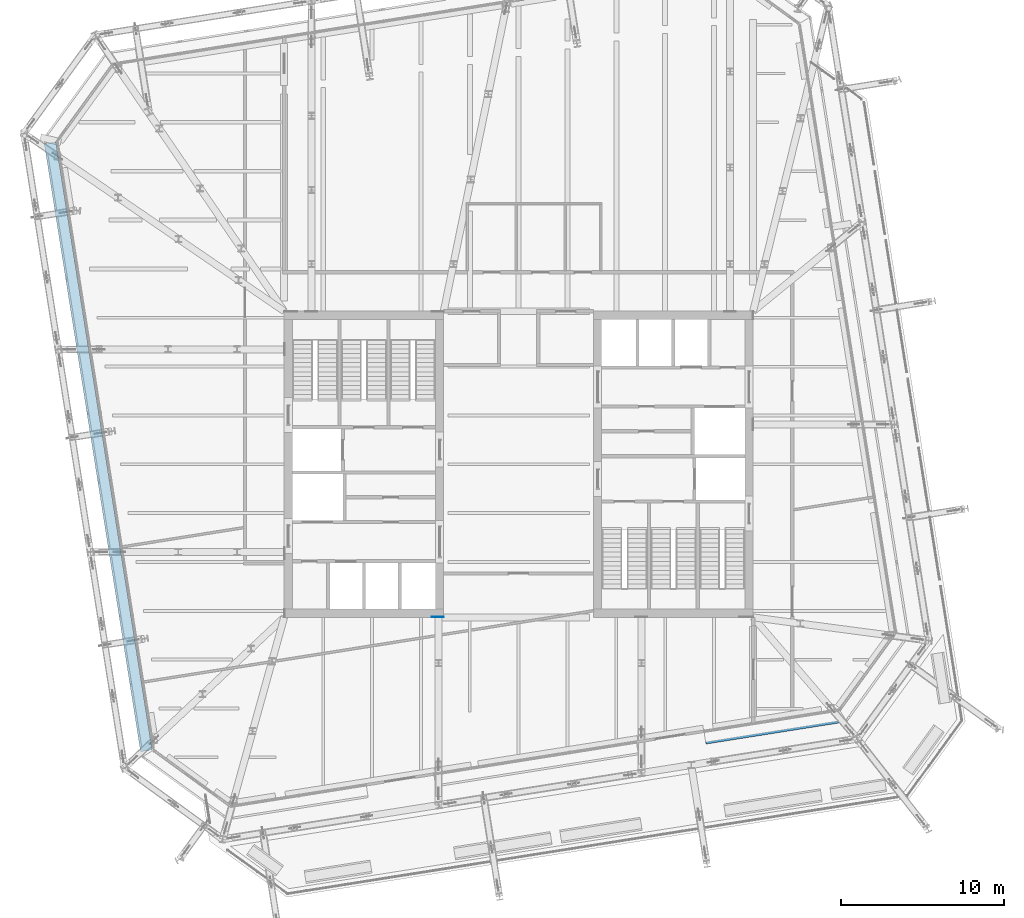
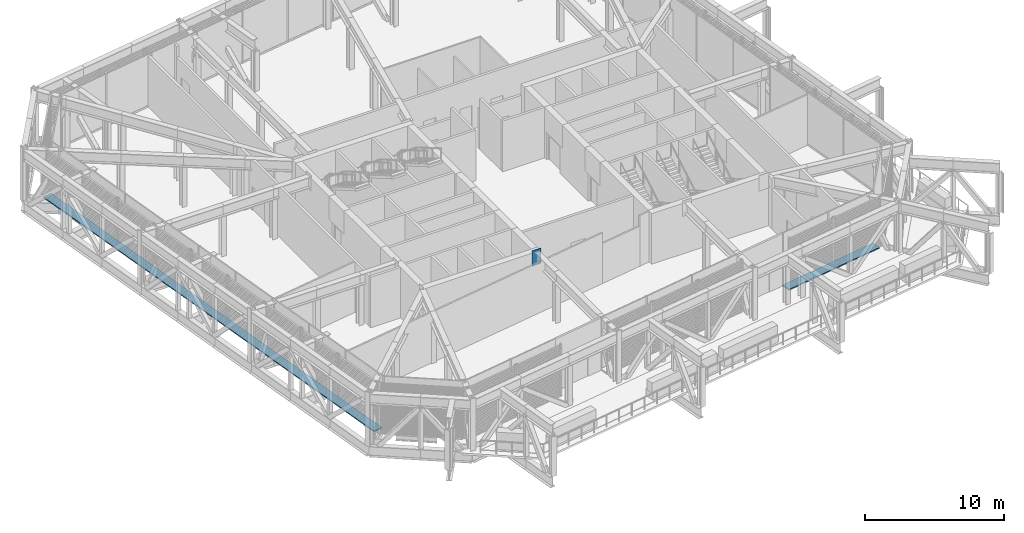
# One storey, part 25 of 35: 3 discrete accessories.
"""IFC4 building model written with IfcOpenShell, lengths in metres."""

from ifc_helpers import new_model, si_unit, direction, frame, origin, origin_2d, place, context, subcontext, project, spatial, rectangle, extrude, material, layer, layer_set, type_object, element, save


model = new_model("IFC4")

# Units and contexts
model_context = context("Model", 3, precision=1e-05, world=origin(), true_north=direction((0.0, 1.0)))
body_context = subcontext(model_context, "Body", "Model", "MODEL_VIEW")
ifc_project = project(units=[si_unit("LENGTHUNIT", "METRE"), si_unit("AREAUNIT", "SQUARE_METRE"), si_unit("VOLUMEUNIT", "CUBIC_METRE"), si_unit("PLANEANGLEUNIT", "RADIAN"), si_unit("MASSUNIT", "GRAM", prefix="KILO")], contexts=[model_context])

# Site, building, storey
site_placement = place(None, origin())
site = spatial("IfcSite", under=ifc_project, at=site_placement, CompositionType="ELEMENT")
building_placement = place(site_placement, origin())
building = spatial("IfcBuilding", under=site, at=building_placement, Name="Millrace Tower", CompositionType="ELEMENT")
storey_placement = place(building_placement, frame((0.0, 0.0, 200.10009765625)))
storey = spatial("IfcBuildingStorey", under=building, at=storey_placement, Name="L45", CompositionType="ELEMENT", Elevation=200.10009765625)

# Discrete accessories
ifc_material_1 = material(Name="Steel ASTM A572 Grade 50", Category="steel")
ifc_layer = layer(ifc_material_1, 0.034912109375)
ifc_layer_set = layer_set([ifc_layer], Name="Steel ASTM A572 Grade 50")
discrete_accessory_type_1 = type_object("IfcDiscreteAccessoryType", Name="Cast-in anchor plate 725x1350x35", PredefinedType="ANCHORPLATE", material=ifc_layer_set)
discrete_accessory_1_placement = place(storey_placement, frame((-4.96240234375, -9.364990234375, 3.96630859375), z_axis=(0.0, -1.0, 0.0), x_axis=(1.0, 0.0, 0.0)))
element("IfcDiscreteAccessory", 1, at=discrete_accessory_1_placement, inside=storey, type_object=discrete_accessory_type_1, Name="Cast-in anchor plate TRS-L45-C03-T03", PredefinedType="ANCHORPLATE", context=body_context, shape_type="SweptSolid", body=[
    extrude(rectangle(XDim=0.72509765625, YDim=1.35009765625, at=origin_2d()), origin(), (0.0, 0.0, 1.0), 0.034912109375),
])
ifc_material_2 = material(Name="Stainless steel ASTM A240 type 316", Category="steel")
discrete_accessory_type_2 = type_object("IfcDiscreteAccessoryType", Name="Thermally broken screen support rail", PredefinedType="BRACKET", material=ifc_material_2)
discrete_accessory_2_placement = place(storey_placement, frame((15.5966796875, -16.1708984375, -0.000244140625), z_axis=(0.0, 0.0, 1.0), x_axis=(0.987688339511, 0.156434471884, 0.0)))
element("IfcDiscreteAccessory", 2, at=discrete_accessory_2_placement, inside=storey, type_object=discrete_accessory_type_2, Name="Thermally broken screen support rail D-F02 L45 3", PredefinedType="BRACKET", context=body_context, shape_type="SweptSolid", body=[
    extrude(rectangle(XDim=8.39990234375, YDim=0.719970703125, at=origin_2d()), origin(), (0.0, 0.0, 1.0), 0.10009765625),
])
discrete_accessory_3_placement = place(storey_placement, frame((-25.820556640625, 1.072265625, -0.000244140625), z_axis=(0.0, 0.0, 1.0), x_axis=(0.156434471884, -0.987688339511, 0.0)))
element("IfcDiscreteAccessory", 3, at=discrete_accessory_3_placement, inside=storey, type_object=discrete_accessory_type_2, Name="Thermally broken screen support rail D-F08 L45 1", PredefinedType="BRACKET", context=body_context, shape_type="SweptSolid", body=[
    extrude(rectangle(XDim=37.800048828125, YDim=0.719970703125, at=origin_2d()), origin(), (0.0, 0.0, 1.0), 0.10009765625),
])

save(model, "model.ifc")
